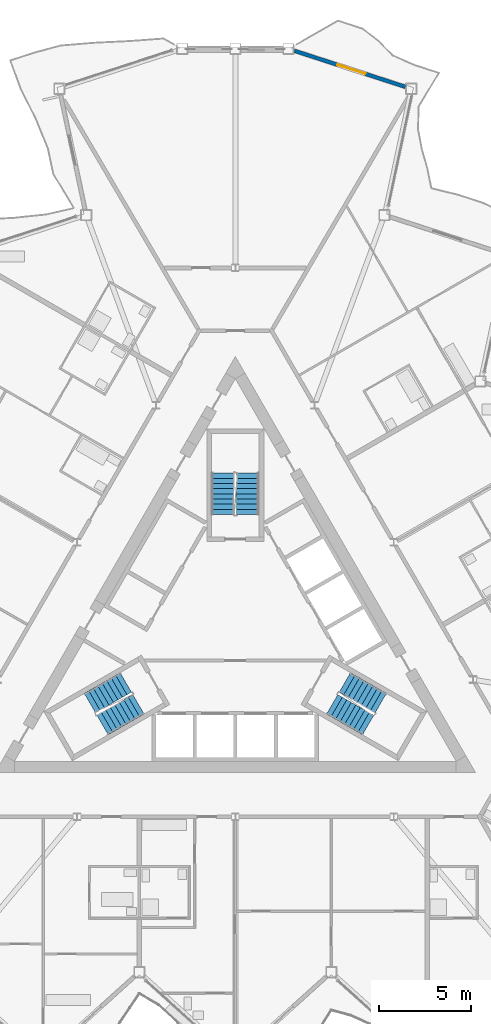
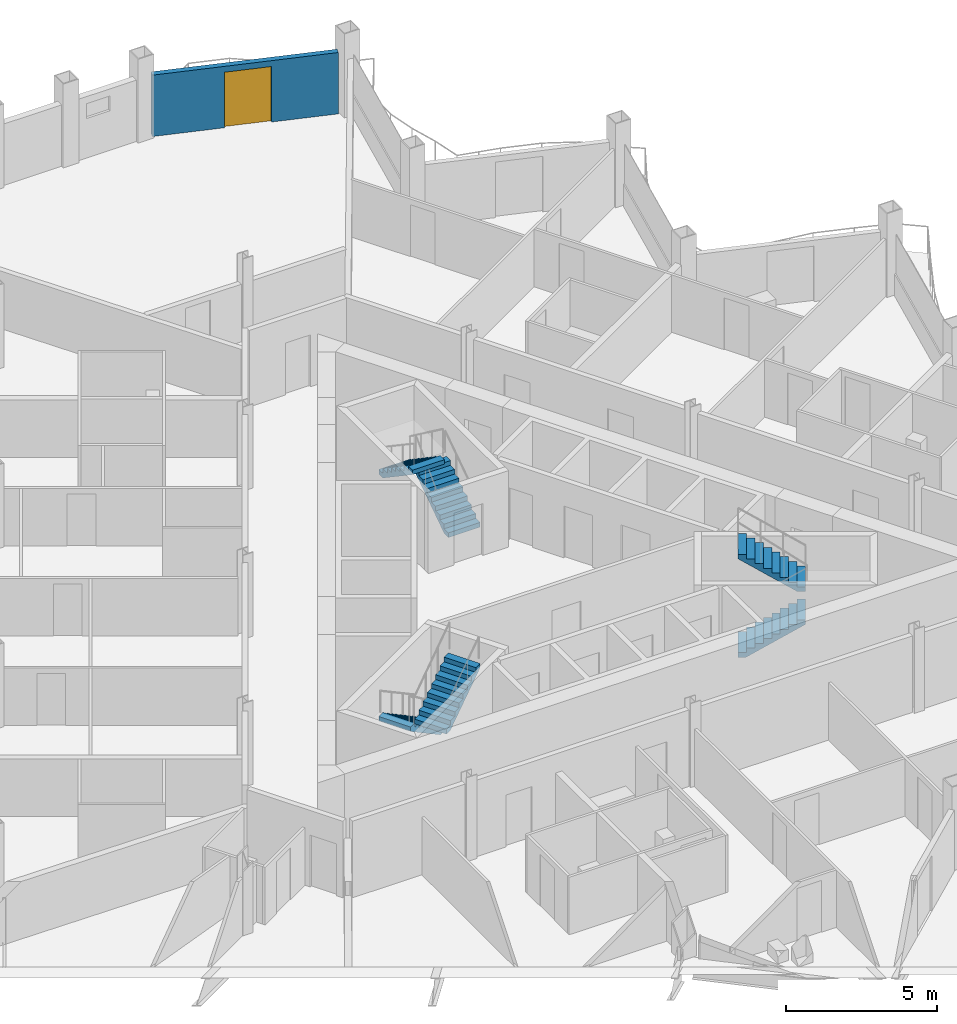
# One storey, part 18 of 26: 6 stair flights, 1 door, 1 wall, 1 opening, 3 elements without a shape of their own.
"""IFC4 building model written with IfcOpenShell, lengths in metres."""

from ifc_helpers import new_model, si_unit, direction, frame, frame_2d, origin, place, context, subcontext, project, spatial, polyline, rectangle, outline, extrude, material, layer, layer_set, type_object, element, fill, aggregate, save


model = new_model("IFC4")

# Units and contexts
model_context = context("Model", 3, precision=1e-05, world=origin(), true_north=direction((0.0, 1.0)))
body_context = subcontext(model_context, "Body", "Model", "MODEL_VIEW")
ifc_project = project(units=[si_unit("LENGTHUNIT", "METRE"), si_unit("AREAUNIT", "SQUARE_METRE"), si_unit("VOLUMEUNIT", "CUBIC_METRE"), si_unit("PLANEANGLEUNIT", "RADIAN"), si_unit("MASSUNIT", "GRAM", prefix="KILO")], contexts=[model_context])

# Site, building, storey
site_placement = place(None, origin())
site = spatial("IfcSite", under=ifc_project, at=site_placement, CompositionType="ELEMENT")
building_placement = place(site_placement, origin())
building = spatial("IfcBuilding", under=site, at=building_placement, Name="Cormorant Prow Tower", CompositionType="ELEMENT")
storey_placement = place(building_placement, frame((0.0, 0.0, 342.60009765625)))
storey = spatial("IfcBuildingStorey", under=building, at=storey_placement, Name="L77", CompositionType="ELEMENT", Elevation=342.60009765625)

# Wall, opening, door
ifc_material_1 = material(Name="Terracotta", Category="masonry")
ifc_layer = layer(ifc_material_1, 0.199951171875)
ifc_layer_set = layer_set([ifc_layer], Name="Terracotta")
wall_type = type_object("IfcWallType", Name="Terracotta jamb wall 200", PredefinedType="SOLIDWALL", material=ifc_layer_set)
wall_placement = place(storey_placement, frame((9.205810546875, 29.616455078125, 0.0), z_axis=(0.0, 0.0, 1.0), x_axis=(-0.951056221468, 0.309017901757, 0.0)))
wall = element("IfcWall", 1, at=wall_placement, inside=storey, type_object=wall_type, Name="Terracotta jamb wall ENE09", PredefinedType="SOLIDWALL", context=body_context, shape_type="SweptSolid", body=[
    extrude(rectangle(XDim=6.31640625, YDim=0.199951171875, at=frame_2d((3.158203125, 0.0))), origin(), (0.0, 0.0, 1.0), 2.48779296875),
])
opening_placement = place(wall_placement, frame((2.262939453125, 0.0, 0.0)))
opening = element("IfcOpeningElement", 2, at=opening_placement, cuts=wall, Name="Opening ED77.10", PredefinedType="OPENING", context=body_context, shape_type="SweptSolid", body=[
    extrude(rectangle(XDim=1.60009765625, YDim=2.25, at=frame_2d((0.800048828125, 1.125))), frame((0.0, 0.10986328125, 0.0), z_axis=(0.0, -1.0, 0.0), x_axis=(1.0, 0.0, 0.0)), (0.0, 0.0, 1.0), 0.219970703125),
])
ifc_material_2 = material(Name="Aluminium 6063-T6", Category="aluminium")
door_type = type_object("IfcDoorType", Name="Balcony door 1600x2250", OperationType="DOUBLE_DOOR_SINGLE_SWING", PredefinedType="DOOR", material=ifc_material_2)
door_placement = place(opening_placement, origin())
door = element("IfcDoor", 3, at=door_placement, inside=storey, type_object=door_type, Name="Balcony door ENE09 ED77.10", OperationType="DOUBLE_DOOR_SINGLE_SWING", OverallHeight=2.25, OverallWidth=1.60009765625, PredefinedType="DOOR", context=body_context, shape_type="SweptSolid", body=[
    extrude(rectangle(XDim=1.60009765625, YDim=2.25, at=frame_2d((0.800048828125, 1.125))), frame((0.0, 0.02490234375, 0.0), z_axis=(0.0, -1.0, 0.0), x_axis=(1.0, 0.0, 0.0)), (0.0, 0.0, 1.0), 0.050048828125),
])
fill(opening, door)

# Stair, stair flights
ifc_material_3 = material(Name="Exit stair 18 risers")
stair_type = type_object("IfcStairType", Name="Exit stair 18 risers", PredefinedType="HALF_TURN_STAIR", material=ifc_material_3)
stair_1_placement = place(storey_placement, origin())
stair_1 = element("IfcStair", 4, at=stair_1_placement, inside=storey, type_object=stair_type, Name="L77 Exit stair ST1", PredefinedType="HALF_TURN_STAIR")
ifc_material_4 = material(Name="Concrete 5000 psi", Category="concrete")
stair_flight_type = type_object("IfcStairFlightType", Name="Stair flight 1219", PredefinedType="STRAIGHT", material=ifc_material_4)
stair_flight_1_placement = place(storey_placement, frame((-5.93310546875, -2.635009765625, 0.0), z_axis=(0.0, 0.0, 1.0), x_axis=(-0.866025403784, -0.5, 0.0)))
stair_flight_1 = element("IfcStairFlight", 5, at=stair_flight_1_placement, type_object=stair_flight_type, Name="ST1 flight 1", NumberOfRisers=9, NumberOfTreads=8, PredefinedType="STRAIGHT", RiserHeight=0.188888889, TreadLength=0.28, context=body_context, shape_type="SweptSolid", body=[
    extrude(outline(polyline([(0.0, 0.0), (0.0, 0.18896484375), (0.280029296875, 0.18896484375), (0.280029296875, 0.377685546875), (0.56005859375, 0.377685546875), (0.56005859375, 0.566650390625), (0.840087890625, 0.566650390625), (0.840087890625, 0.755615234375), (1.1201171875, 0.755615234375), (1.1201171875, 0.9443359375), (1.39990234375, 0.9443359375), (1.39990234375, 1.13330078125), (1.679931640625, 1.13330078125), (1.679931640625, 1.322265625), (1.9599609375, 1.322265625), (1.9599609375, 1.51123046875), (2.239990234375, 1.51123046875), (2.239990234375, 1.699951171875), (2.239990234375, 1.330322265625), (0.26806640625, 0.0), (0.0, 0.0)])), frame((0.0, 0.609375, 0.0), z_axis=(0.0, -1.0, 0.0), x_axis=(1.0, 0.0, 0.0)), (0.0, 0.0, 1.0), 1.218994140625),
])
stair_flight_2_placement = place(storey_placement, frame((-7.1884765625, -4.940673828125, 1.699951171875), z_axis=(0.0, 0.0, 1.0), x_axis=(0.866025403784, 0.5, 0.0)))
stair_flight_2 = element("IfcStairFlight", 6, at=stair_flight_2_placement, type_object=stair_flight_type, Name="ST1 flight 2", NumberOfRisers=9, NumberOfTreads=8, PredefinedType="STRAIGHT", RiserHeight=0.188888889, TreadLength=0.28, context=body_context, shape_type="SweptSolid", body=[
    extrude(outline(polyline([(0.0, 0.0), (0.0, 0.18896484375), (0.280029296875, 0.18896484375), (0.280029296875, 0.377685546875), (0.56005859375, 0.377685546875), (0.56005859375, 0.566650390625), (0.840087890625, 0.566650390625), (0.840087890625, 0.755615234375), (1.1201171875, 0.755615234375), (1.1201171875, 0.9443359375), (1.39990234375, 0.9443359375), (1.39990234375, 1.13330078125), (1.679931640625, 1.13330078125), (1.679931640625, 1.322265625), (1.9599609375, 1.322265625), (1.9599609375, 1.51123046875), (2.239990234375, 1.51123046875), (2.239990234375, 1.699951171875), (2.239990234375, 1.330322265625), (0.26806640625, 0.0), (0.0, 0.0)])), frame((0.0, 0.609375, 0.0), z_axis=(0.0, -1.0, 0.0), x_axis=(1.0, 0.0, 0.0)), (0.0, 0.0, 1.0), 1.218994140625),
])
aggregate(stair_1, [stair_flight_1, stair_flight_2])

stair_2_placement = place(storey_placement, origin())
stair_2 = element("IfcStair", 7, at=stair_2_placement, inside=storey, type_object=stair_type, Name="L77 Exit stair ST2", PredefinedType="HALF_TURN_STAIR")
stair_flight_3_placement = place(storey_placement, frame((5.24853515625, -3.82080078125, 0.0), z_axis=(0.0, 0.0, 1.0), x_axis=(0.866025403784, -0.5, 0.0)))
stair_flight_3 = element("IfcStairFlight", 8, at=stair_flight_3_placement, type_object=stair_flight_type, Name="ST2 flight 1", NumberOfRisers=9, NumberOfTreads=8, PredefinedType="STRAIGHT", RiserHeight=0.188888889, TreadLength=0.28, context=body_context, shape_type="SweptSolid", body=[
    extrude(outline(polyline([(0.0, 0.0), (0.0, 0.18896484375), (0.280029296875, 0.18896484375), (0.280029296875, 0.377685546875), (0.56005859375, 0.377685546875), (0.56005859375, 0.566650390625), (0.840087890625, 0.566650390625), (0.840087890625, 0.755615234375), (1.1201171875, 0.755615234375), (1.1201171875, 0.9443359375), (1.39990234375, 0.9443359375), (1.39990234375, 1.13330078125), (1.679931640625, 1.13330078125), (1.679931640625, 1.322265625), (1.9599609375, 1.322265625), (1.9599609375, 1.51123046875), (2.239990234375, 1.51123046875), (2.239990234375, 1.699951171875), (2.239990234375, 1.330322265625), (0.26806640625, 0.0), (0.0, 0.0)])), frame((0.0, 0.609375, 0.0), z_axis=(0.0, -1.0, 0.0), x_axis=(1.0, 0.0, 0.0)), (0.0, 0.0, 1.0), 1.218994140625),
])
stair_flight_4_placement = place(storey_placement, frame((7.873046875, -3.755126953125, 1.699951171875), z_axis=(0.0, 0.0, 1.0), x_axis=(-0.866025403784, 0.5, 0.0)))
stair_flight_4 = element("IfcStairFlight", 9, at=stair_flight_4_placement, type_object=stair_flight_type, Name="ST2 flight 2", NumberOfRisers=9, NumberOfTreads=8, PredefinedType="STRAIGHT", RiserHeight=0.188888889, TreadLength=0.28, context=body_context, shape_type="SweptSolid", body=[
    extrude(outline(polyline([(0.0, 0.0), (0.0, 0.18896484375), (0.280029296875, 0.18896484375), (0.280029296875, 0.377685546875), (0.56005859375, 0.377685546875), (0.56005859375, 0.566650390625), (0.840087890625, 0.566650390625), (0.840087890625, 0.755615234375), (1.1201171875, 0.755615234375), (1.1201171875, 0.9443359375), (1.39990234375, 0.9443359375), (1.39990234375, 1.13330078125), (1.679931640625, 1.13330078125), (1.679931640625, 1.322265625), (1.9599609375, 1.322265625), (1.9599609375, 1.51123046875), (2.239990234375, 1.51123046875), (2.239990234375, 1.699951171875), (2.239990234375, 1.330322265625), (0.26806640625, 0.0), (0.0, 0.0)])), frame((0.0, 0.609375, 0.0), z_axis=(0.0, -1.0, 0.0), x_axis=(1.0, 0.0, 0.0)), (0.0, 0.0, 1.0), 1.218994140625),
])
aggregate(stair_2, [stair_flight_3, stair_flight_4])

stair_3_placement = place(storey_placement, origin())
stair_3 = element("IfcStair", 10, at=stair_3_placement, inside=storey, type_object=stair_type, Name="L77 Exit stair ST3", PredefinedType="HALF_TURN_STAIR")
stair_flight_5_placement = place(storey_placement, frame((0.6845703125, 6.455810546875, 0.0), z_axis=(0.0, 0.0, 1.0), x_axis=(0.0, 1.0, 0.0)))
stair_flight_5 = element("IfcStairFlight", 11, at=stair_flight_5_placement, type_object=stair_flight_type, Name="ST3 flight 1", NumberOfRisers=9, NumberOfTreads=8, PredefinedType="STRAIGHT", RiserHeight=0.188888889, TreadLength=0.28, context=body_context, shape_type="SweptSolid", body=[
    extrude(outline(polyline([(0.0, 0.0), (0.0, 0.18896484375), (0.280029296875, 0.18896484375), (0.280029296875, 0.377685546875), (0.56005859375, 0.377685546875), (0.56005859375, 0.566650390625), (0.840087890625, 0.566650390625), (0.840087890625, 0.755615234375), (1.1201171875, 0.755615234375), (1.1201171875, 0.9443359375), (1.39990234375, 0.9443359375), (1.39990234375, 1.13330078125), (1.679931640625, 1.13330078125), (1.679931640625, 1.322265625), (1.9599609375, 1.322265625), (1.9599609375, 1.51123046875), (2.239990234375, 1.51123046875), (2.239990234375, 1.699951171875), (2.239990234375, 1.330322265625), (0.26806640625, 0.0), (0.0, 0.0)])), frame((0.0, 0.609375, 0.0), z_axis=(0.0, -1.0, 0.0), x_axis=(1.0, 0.0, 0.0)), (0.0, 0.0, 1.0), 1.218994140625),
])
stair_flight_6_placement = place(storey_placement, frame((-0.6845703125, 8.69580078125, 1.699951171875), z_axis=(0.0, 0.0, 1.0), x_axis=(0.0, -1.0, 0.0)))
stair_flight_6 = element("IfcStairFlight", 12, at=stair_flight_6_placement, type_object=stair_flight_type, Name="ST3 flight 2", NumberOfRisers=9, NumberOfTreads=8, PredefinedType="STRAIGHT", RiserHeight=0.188888889, TreadLength=0.28, context=body_context, shape_type="SweptSolid", body=[
    extrude(outline(polyline([(0.0, 0.0), (0.0, 0.18896484375), (0.280029296875, 0.18896484375), (0.280029296875, 0.377685546875), (0.56005859375, 0.377685546875), (0.56005859375, 0.566650390625), (0.840087890625, 0.566650390625), (0.840087890625, 0.755615234375), (1.1201171875, 0.755615234375), (1.1201171875, 0.9443359375), (1.39990234375, 0.9443359375), (1.39990234375, 1.13330078125), (1.679931640625, 1.13330078125), (1.679931640625, 1.322265625), (1.9599609375, 1.322265625), (1.9599609375, 1.51123046875), (2.239990234375, 1.51123046875), (2.239990234375, 1.699951171875), (2.239990234375, 1.330322265625), (0.26806640625, 0.0), (0.0, 0.0)])), frame((0.0, 0.609375, 0.0), z_axis=(0.0, -1.0, 0.0), x_axis=(1.0, 0.0, 0.0)), (0.0, 0.0, 1.0), 1.218994140625),
])
aggregate(stair_3, [stair_flight_5, stair_flight_6])

save(model, "model.ifc")
